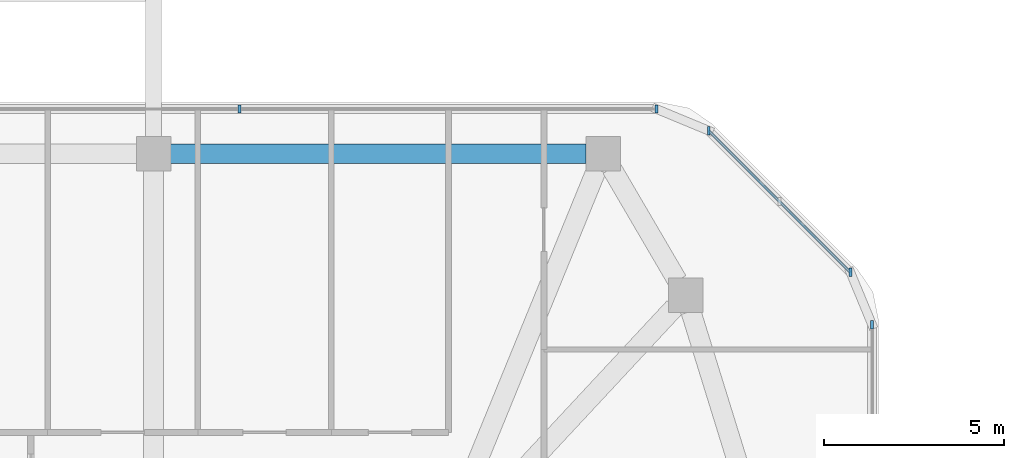
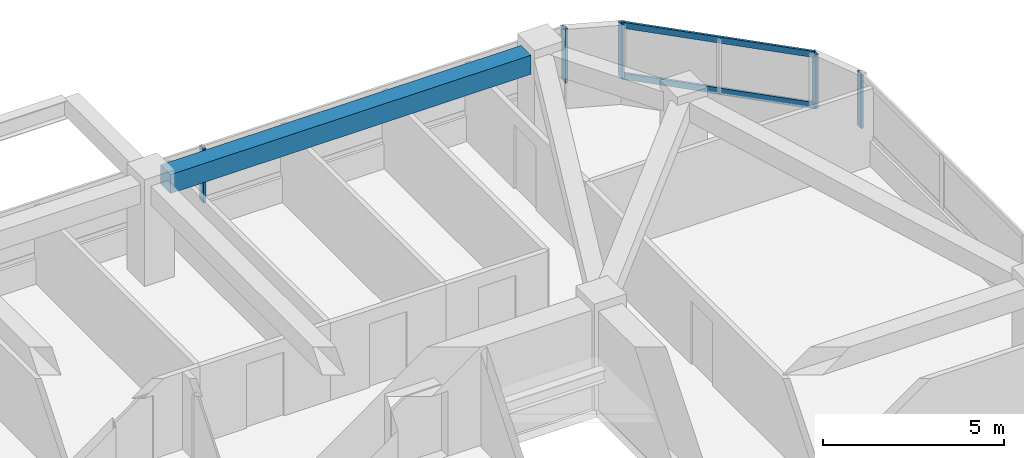
# One storey, part 6 of 13: 7 members, 1 beam, 3 elements without a shape of their own.
"""IFC4 building model written with IfcOpenShell, lengths in metres."""

from ifc_helpers import new_model, si_unit, derived_unit, direction, frame, origin, origin_2d, place, context, subcontext, project, spatial, rectangle, extrude, material, material_profile, profile_set, type_object, element, aggregate, save


model = new_model("IFC4")

# Units and contexts
model_context = context("Model", 3, precision=1e-05, world=origin(), true_north=direction((0.0, 1.0)))
body_context = subcontext(model_context, "Body", "Model", "MODEL_VIEW")
ifc_project = project(units=[si_unit("LENGTHUNIT", "METRE"), si_unit("AREAUNIT", "SQUARE_METRE"), si_unit("VOLUMEUNIT", "CUBIC_METRE"), si_unit("PLANEANGLEUNIT", "RADIAN"), si_unit("MASSUNIT", "GRAM", prefix="KILO"), derived_unit("THERMALTRANSMITTANCEUNIT", [(si_unit("POWERUNIT", "WATT"), 1), (si_unit("LENGTHUNIT", "METRE"), -2), (si_unit("THERMODYNAMICTEMPERATUREUNIT", "KELVIN"), -1)])], contexts=[model_context])

# Site, building, storey
site_placement = place(None, origin())
site = spatial("IfcSite", under=ifc_project, at=site_placement, CompositionType="ELEMENT")
building_placement = place(site_placement, origin())
building = spatial("IfcBuilding", under=site, at=building_placement, Name="Koralith Skygarden Medical Center", CompositionType="ELEMENT")
storey_placement = place(building_placement, frame((0.0, 0.0, 156.419921875)))
storey = spatial("IfcBuildingStorey", under=building, at=storey_placement, Name="L40", CompositionType="ELEMENT", Elevation=156.419921875)

# Curtain wall, member
ifc_material_1 = material(Name="Clear Laminated Glass", Category="glass")
curtain_wall_type = type_object("IfcCurtainWallType", Name="CW-4 Zone 3 Waist High-Wind Curtain Wall", PredefinedType="NOTDEFINED", material=ifc_material_1)
curtain_wall_1_placement = place(storey_placement, origin())
curtain_wall_1 = element("IfcCurtainWall", 1, at=curtain_wall_1_placement, inside=storey, type_object=curtain_wall_type, Name="Curtain Wall CW-L40-E-R", PredefinedType="NOTDEFINED")
ifc_material_2 = material(Name="Aluminium 6063-T6", Category="aluminium")
ifc_material_profile_1 = material_profile(ifc_material_2, rectangle(XDim=0.076904296875, YDim=0.22998046875, at=origin_2d()), Name="MUL77X230")
ifc_profile_set_1 = profile_set([ifc_material_profile_1], Name="Aluminium 6063-T6")
member_type_1 = type_object("IfcMemberType", Name="CW-4 Extruded Mullion 77x230", PredefinedType="MULLION", material=ifc_profile_set_1)
member_1_placement = place(storey_placement, frame((60.303955078125, 41.14501953125, 0.85009765625), z_axis=(0.0, 0.0, 1.0), x_axis=(1.0, 0.0, 0.0)))
member_1 = element("IfcMember", 2, at=member_1_placement, type_object=member_type_1, Name="CW-L40-E-R Mullion 4", PredefinedType="MULLION", context=body_context, shape_type="SweptSolid", body=[
    extrude(rectangle(XDim=0.076904296875, YDim=0.22998046875, at=origin_2d()), origin(), (0.0, 0.0, 1.0), 1.820068359375),
])
aggregate(curtain_wall_1, [member_1])

# Curtain wall, members
curtain_wall_2_placement = place(storey_placement, origin())
curtain_wall_2 = element("IfcCurtainWall", 3, at=curtain_wall_2_placement, inside=storey, type_object=curtain_wall_type, Name="Curtain Wall CW-L40-NE", PredefinedType="NOTDEFINED")
member_2_placement = place(storey_placement, frame((59.702880859375, 42.595947265625, 0.85009765625), z_axis=(0.0, 0.0, 1.0), x_axis=(1.0, 0.0, 0.0)))
member_2 = element("IfcMember", 4, at=member_2_placement, type_object=member_type_1, Name="CW-L40-NE Mullion 1", PredefinedType="MULLION", context=body_context, shape_type="SweptSolid", body=[
    extrude(rectangle(XDim=0.076904296875, YDim=0.22998046875, at=origin_2d()), origin(), (0.0, 0.0, 1.0), 1.820068359375),
])
member_3_placement = place(storey_placement, frame((55.780029296875, 46.51904296875, 0.85009765625), z_axis=(0.0, 0.0, 1.0), x_axis=(1.0, 0.0, 0.0)))
member_3 = element("IfcMember", 5, at=member_3_placement, type_object=member_type_1, Name="CW-L40-NE Mullion 3", PredefinedType="MULLION", context=body_context, shape_type="SweptSolid", body=[
    extrude(rectangle(XDim=0.076904296875, YDim=0.22998046875, at=origin_2d()), origin(), (0.0, 0.0, 1.0), 1.820068359375),
])

curtain_wall_3_placement = place(storey_placement, origin())
curtain_wall_3 = element("IfcCurtainWall", 6, at=curtain_wall_3_placement, inside=storey, type_object=curtain_wall_type, Name="Curtain Wall CW-L40-N", PredefinedType="NOTDEFINED")
member_4_placement = place(storey_placement, frame((54.3291015625, 47.1201171875, 0.85009765625), z_axis=(0.0, 0.0, 1.0), x_axis=(1.0, 0.0, 0.0)))
member_4 = element("IfcMember", 7, at=member_4_placement, type_object=member_type_1, Name="CW-L40-N Mullion 1", PredefinedType="MULLION", context=body_context, shape_type="SweptSolid", body=[
    extrude(rectangle(XDim=0.076904296875, YDim=0.22998046875, at=origin_2d()), origin(), (0.0, 0.0, 1.0), 1.820068359375),
])
member_5_placement = place(storey_placement, frame((42.77587890625, 47.1201171875, 0.85009765625), z_axis=(0.0, 0.0, 1.0), x_axis=(1.0, 0.0, 0.0)))
member_5 = element("IfcMember", 8, at=member_5_placement, type_object=member_type_1, Name="CW-L40-N Mullion 2", PredefinedType="MULLION", context=body_context, shape_type="SweptSolid", body=[
    extrude(rectangle(XDim=0.076904296875, YDim=0.22998046875, at=origin_2d()), origin(), (0.0, 0.0, 1.0), 1.820068359375),
])
aggregate(curtain_wall_3, [member_4, member_5])

# Member
ifc_material_profile_2 = material_profile(ifc_material_2, rectangle(XDim=0.072021484375, YDim=0.20703125, at=origin_2d()), Name="TRN72X207")
ifc_profile_set_2 = profile_set([ifc_material_profile_2], Name="Aluminium 6063-T6")
member_type_2 = type_object("IfcMemberType", Name="CW-4 Thermal Transom 72x207", PredefinedType="USERDEFINED", material=ifc_profile_set_2)
member_6_placement = place(storey_placement, frame((59.702880859375, 42.595947265625, 0.900146484375), z_axis=(-0.707084777957, 0.707128783731, 0.0), x_axis=(-0.707128783731, -0.707084777957, 0.0)))
member_6 = element("IfcMember", 9, at=member_6_placement, type_object=member_type_2, Name="CW-L40-NE Transom 1", ObjectType="TRANSOM", PredefinedType="USERDEFINED", context=body_context, shape_type="SweptSolid", body=[
    extrude(rectangle(XDim=0.072021484375, YDim=0.20703125, at=origin_2d()), origin(), (0.0, 0.0, 1.0), 5.5478515625),
])

member_7_placement = place(storey_placement, frame((59.702880859375, 42.595947265625, 2.6201171875), z_axis=(-0.707084777957, 0.707128783731, 0.0), x_axis=(-0.707128783731, -0.707084777957, 0.0)))
member_7 = element("IfcMember", 10, at=member_7_placement, type_object=member_type_2, Name="CW-L40-NE Transom 2", ObjectType="TRANSOM", PredefinedType="USERDEFINED", context=body_context, shape_type="SweptSolid", body=[
    extrude(rectangle(XDim=0.072021484375, YDim=0.20703125, at=origin_2d()), origin(), (0.0, 0.0, 1.0), 5.5478515625),
])

aggregate(curtain_wall_2, [member_2, member_3, member_6, member_7])

# Beam
ifc_material_3 = material(Name="Concrete C45/55", Category="concrete")
ifc_material_profile_3 = material_profile(ifc_material_3, rectangle(XDim=0.550048828125, YDim=0.639892578125, at=origin_2d()), Name="RCB550X640")
ifc_profile_set_3 = profile_set([ifc_material_profile_3], Name="Concrete C45/55")
beam_type = type_object("IfcBeamType", Name="Zone 2-3 Spandrel Beam RCB550X640", PredefinedType="SPANDREL", material=ifc_profile_set_3)
beam_placement = place(storey_placement, frame((52.382080078125, 45.8798828125, 3.0), z_axis=(-1.0, 0.0, 0.0), x_axis=(0.0, -1.0, 0.0)))
element("IfcBeam", 11, at=beam_placement, inside=storey, type_object=beam_type, Name="L40 Perimeter Spandrel Beam SP-11", PredefinedType="SPANDREL", context=body_context, shape_type="SweptSolid", body=[
    extrude(rectangle(XDim=0.550048828125, YDim=0.639892578125, at=origin_2d()), origin(), (0.0, 0.0, 1.0), 11.511962890625),
])

save(model, "model.ifc")
